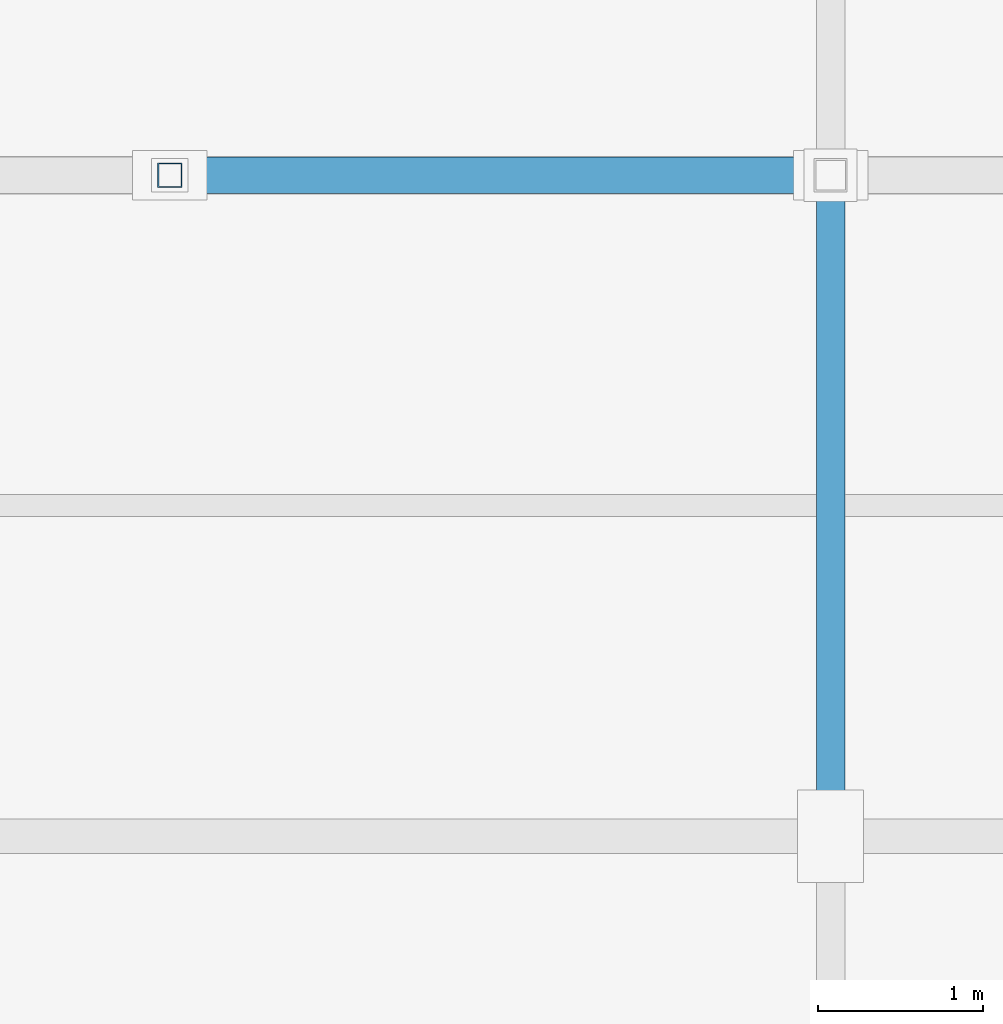
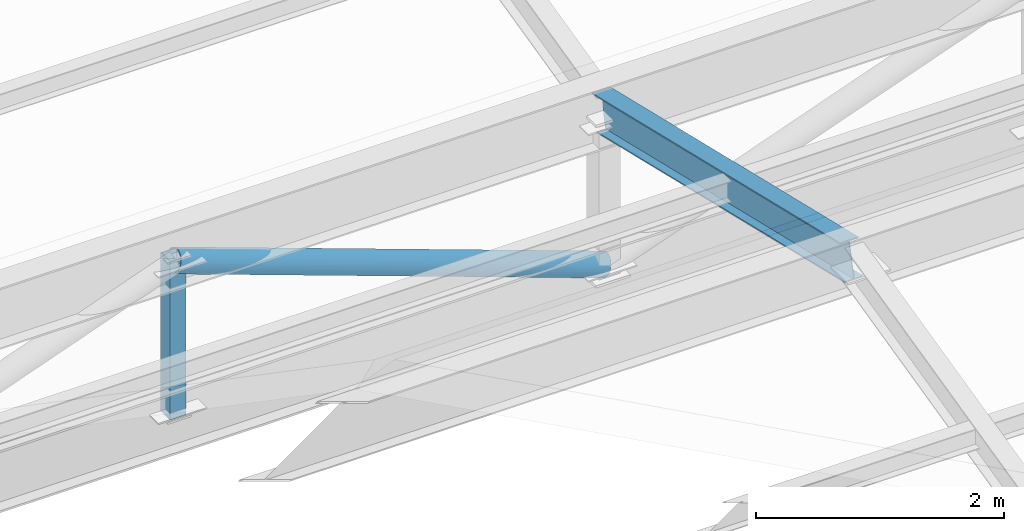
# One storey, part 52 of 112: 3 members.
"""IFC4 building model written with IfcOpenShell, lengths in metres."""

from ifc_helpers import new_model, si_unit, direction, frame, origin, origin_2d, place, context, subcontext, project, spatial, hollow_rectangle, hollow_circle, i_section, extrude, material, material_profile, profile_set, type_object, element, save


model = new_model("IFC4")

# Units and contexts
model_context = context("Model", 3, precision=1e-05, world=origin(), true_north=direction((0.0, 1.0)))
body_context = subcontext(model_context, "Body", "Model", "MODEL_VIEW")
ifc_project = project(units=[si_unit("LENGTHUNIT", "METRE"), si_unit("AREAUNIT", "SQUARE_METRE"), si_unit("VOLUMEUNIT", "CUBIC_METRE"), si_unit("PLANEANGLEUNIT", "RADIAN"), si_unit("MASSUNIT", "GRAM", prefix="KILO")], contexts=[model_context])

# Site, building, storey
site_placement = place(None, origin())
site = spatial("IfcSite", under=ifc_project, at=site_placement, CompositionType="ELEMENT")
building_placement = place(site_placement, origin())
building = spatial("IfcBuilding", under=site, at=building_placement, Name="Celadon Cloister-Ring School", CompositionType="ELEMENT")
storey_placement = place(building_placement, frame((0.0, 0.0, 8.5)))
storey = spatial("IfcBuildingStorey", under=building, at=storey_placement, Name="L02", CompositionType="ELEMENT", Elevation=8.5)

# Members
ifc_material_1 = material(Name="Structural steel S355JR", Category="steel")
ifc_material_profile_1 = material_profile(ifc_material_1, hollow_rectangle(XDim=0.14990234375, YDim=0.14990234375, WallThickness=0.008056640625, at=origin_2d()), Name="HSS150X150X8")
ifc_profile_set_1 = profile_set([ifc_material_profile_1], Name="Structural steel S355JR")
member_type_1 = type_object("IfcMemberType", Name="MB-05", PredefinedType="BRACE", material=ifc_profile_set_1)
member_1_placement = place(storey_placement, frame((154.0, 98.0, 0.919921875), z_axis=(0.0, 0.0, 1.0), x_axis=(1.0, 0.0, 0.0)))
element("IfcMember", 1, at=member_1_placement, inside=storey, type_object=member_type_1, Name="Structural Member 0457", PredefinedType="BRACE", context=body_context, shape_type="SweptSolid", body=[
    extrude(hollow_rectangle(XDim=0.14990234375, YDim=0.14990234375, WallThickness=0.008056640625, at=origin_2d()), origin(), (0.0, 0.0, 1.0), 1.56005859375),
])
ifc_material_2 = material(Name="Structural steel S355JR", Category="steel")
ifc_material_profile_2 = material_profile(ifc_material_2, hollow_circle(Radius=0.109619140625, WallThickness=0.010009765625, at=origin_2d()), Name="CHS219.1X10")
ifc_profile_set_2 = profile_set([ifc_material_profile_2], Name="Structural steel S355JR")
member_type_2 = type_object("IfcMemberType", Name="MB-08", PredefinedType="BRACE", material=ifc_profile_set_2)
member_2_placement = place(storey_placement, frame((154.0, 98.0, 2.419921875), z_axis=(0.94089180426, 0.0, -0.338707266939), x_axis=(0.0, 1.0, 0.0)))
element("IfcMember", 2, at=member_2_placement, inside=storey, type_object=member_type_2, Name="Structural Member 0464", PredefinedType="BRACE", context=body_context, shape_type="SweptSolid", body=[
    extrude(hollow_circle(Radius=0.109619140625, WallThickness=0.010009765625, at=origin_2d()), origin(), (0.0, 0.0, 1.0), 4.251220703125),
])
ifc_material_3 = material(Name="Structural steel S355JR", Category="steel")
ifc_material_profile_3 = material_profile(ifc_material_3, i_section(OverallWidth=0.1708984375, OverallDepth=0.35498046875, WebThickness=0.007080078125, FlangeThickness=0.01171875, at=origin_2d()), Name="W360X51")
ifc_profile_set_3 = profile_set([ifc_material_profile_3], Name="Structural steel S355JR")
member_type_3 = type_object("IfcMemberType", Name="MR-05", PredefinedType="RAFTER", material=ifc_profile_set_3)
member_3_placement = place(storey_placement, frame((158.0, 94.0, 3.449951171875), z_axis=(0.0, 0.97293922076, -0.231061188231), x_axis=(-1.0, 0.0, 0.0)))
element("IfcMember", 3, at=member_3_placement, inside=storey, type_object=member_type_3, Name="Structural Member 0545", PredefinedType="RAFTER", context=body_context, shape_type="SweptSolid", body=[
    extrude(i_section(OverallWidth=0.1708984375, OverallDepth=0.35498046875, WebThickness=0.007080078125, FlangeThickness=0.01171875, at=origin_2d()), origin(), (0.0, 0.0, 1.0), 4.111328125),
])

save(model, "model.ifc")
